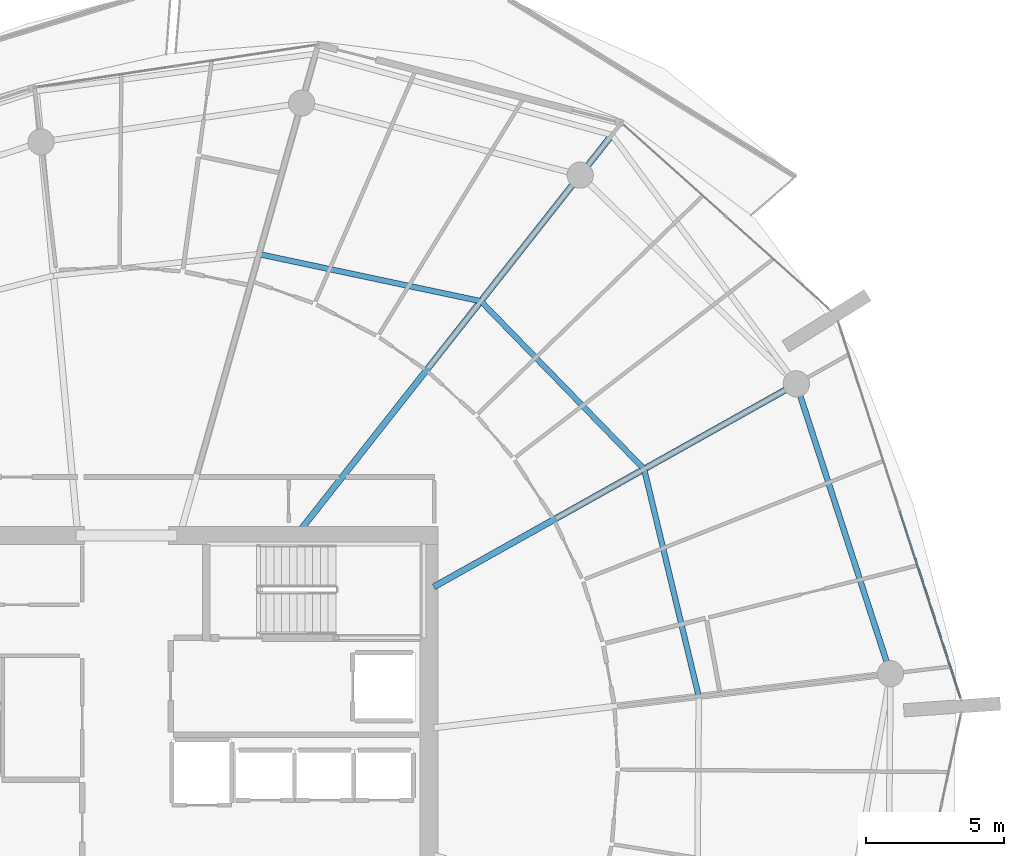
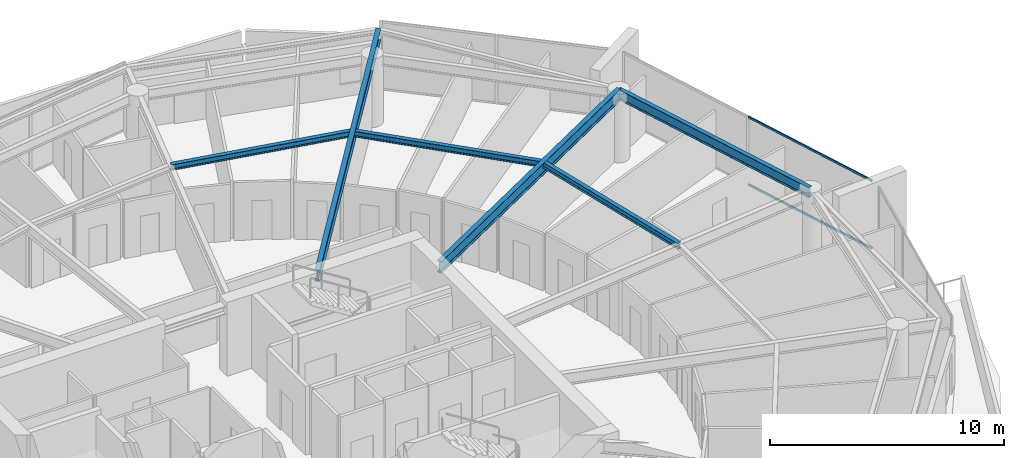
# One storey, part 13 of 30: 6 beams, 2 members, 1 element without a shape of its own.
"""IFC4 building model written with IfcOpenShell, lengths in metres."""

from ifc_helpers import new_model, si_unit, direction, frame, origin, origin_2d, place, context, subcontext, project, spatial, rectangle, i_section, extrude, material, layer, layer_set, material_profile, profile_set, type_object, element, aggregate, save


model = new_model("IFC4")

# Units and contexts
model_context = context("Model", 3, precision=1e-05, world=origin(), true_north=direction((0.0, 1.0)))
body_context = subcontext(model_context, "Body", "Model", "MODEL_VIEW")
ifc_project = project(units=[si_unit("LENGTHUNIT", "METRE"), si_unit("AREAUNIT", "SQUARE_METRE"), si_unit("VOLUMEUNIT", "CUBIC_METRE"), si_unit("PLANEANGLEUNIT", "RADIAN"), si_unit("MASSUNIT", "GRAM", prefix="KILO")], contexts=[model_context])

# Site, building, storey
site_placement = place(None, origin())
site = spatial("IfcSite", under=ifc_project, at=site_placement, CompositionType="ELEMENT")
building_placement = place(site_placement, origin())
building = spatial("IfcBuilding", under=site, at=building_placement, Name="Kazma Halo Residences", CompositionType="ELEMENT")
storey_placement = place(building_placement, frame((0.0, 0.0, 255.949951171875)))
storey = spatial("IfcBuildingStorey", under=building, at=storey_placement, Name="L64", CompositionType="ELEMENT", Elevation=255.949951171875)

# Beams
ifc_material_1 = material(Name="Steel S355", Category="steel")
ifc_material_profile_1 = material_profile(ifc_material_1, i_section(OverallWidth=0.22802734375, OverallDepth=0.60791015625, WebThickness=0.01123046875, FlangeThickness=0.017333984375, FilletRadius=0.01806640625, at=origin_2d()), Name="W610x113")
ifc_profile_set_1 = profile_set([ifc_material_profile_1], Name="Steel S355")
beam_type_1 = type_object("IfcBeamType", Name="BM-RAD-W610", PredefinedType="BEAM", material=ifc_profile_set_1)
beam_1_placement = place(storey_placement, frame((59.550048828125, 48.46826171875, 3.2861328125), z_axis=(0.872498817764, 0.488616222613, 0.0), x_axis=(-0.488616222613, 0.872498817764, 0.0)))
element("IfcBeam", 1, at=beam_1_placement, inside=storey, type_object=beam_type_1, Name="L64 radial floor beam 01", PredefinedType="BEAM", context=body_context, shape_type="SweptSolid", body=[
    extrude(i_section(OverallWidth=0.22802734375, OverallDepth=0.60791015625, WebThickness=0.01123046875, FlangeThickness=0.017333984375, FilletRadius=0.01806640625, at=origin_2d()), origin(), (0.0, 0.0, 1.0), 15.03759765625),
])
beam_2_placement = place(storey_placement, frame((54.700927734375, 50.5, 3.2861328125), z_axis=(0.6190864347, 0.785322854863, 0.0), x_axis=(-0.785322854863, 0.6190864347, 0.0)))
element("IfcBeam", 2, at=beam_2_placement, inside=storey, type_object=beam_type_1, Name="L64 radial floor beam 02", PredefinedType="BEAM", context=body_context, shape_type="SweptSolid", body=[
    extrude(i_section(OverallWidth=0.22802734375, OverallDepth=0.60791015625, WebThickness=0.01123046875, FlangeThickness=0.017333984375, FilletRadius=0.01806640625, at=origin_2d()), origin(), (0.0, 0.0, 1.0), 18.239013671875),
])
ifc_material_profile_2 = material_profile(ifc_material_1, i_section(OverallWidth=0.202880859375, OverallDepth=0.302978515625, WebThickness=0.007568359375, FlangeThickness=0.01318359375, FilletRadius=0.013916015625, at=origin_2d()), Name="W310x60")
ifc_profile_set_2 = profile_set([ifc_material_profile_2], Name="Steel S355")
beam_type_2 = type_object("IfcBeamType", Name="BM-SEC-W310A", PredefinedType="JOIST", material=ifc_profile_set_2)
beam_3_placement = place(storey_placement, frame((67.159912109375, 52.72998046875, 3.4384765625), z_axis=(-0.697145013687, 0.716930142964, 0.0), x_axis=(-0.716930142964, -0.697145013687, 0.0)))
element("IfcBeam", 3, at=beam_3_placement, inside=storey, type_object=beam_type_2, Name="L64 circumferential floor joist 01", PredefinedType="JOIST", context=body_context, shape_type="SweptSolid", body=[
    extrude(i_section(OverallWidth=0.202880859375, OverallDepth=0.302978515625, WebThickness=0.007568359375, FlangeThickness=0.01318359375, FilletRadius=0.013916015625, at=origin_2d()), origin(), (0.0, 0.0, 1.0), 8.477294921875),
])
beam_4_placement = place(storey_placement, frame((61.25, 58.8076171875, 3.4384765625), z_axis=(-0.978235588777, 0.207497308055, 0.0), x_axis=(-0.207497308055, -0.978235588777, 0.0)))
element("IfcBeam", 4, at=beam_4_placement, inside=storey, type_object=beam_type_2, Name="L64 circumferential floor joist 02", PredefinedType="JOIST", context=body_context, shape_type="SweptSolid", body=[
    extrude(i_section(OverallWidth=0.202880859375, OverallDepth=0.302978515625, WebThickness=0.007568359375, FlangeThickness=0.01318359375, FilletRadius=0.013916015625, at=origin_2d()), origin(), (0.0, 0.0, 1.0), 8.2080078125),
])
beam_5_placement = place(storey_placement, frame((69.13720703125, 44.501708984375, 3.4384765625), z_axis=(-0.23365336492, 0.97231996023, 0.0), x_axis=(-0.97231996023, -0.23365336492, 0.0)))
element("IfcBeam", 5, at=beam_5_placement, inside=storey, type_object=beam_type_2, Name="L64 circumferential floor joist 16", PredefinedType="JOIST", context=body_context, shape_type="SweptSolid", body=[
    extrude(i_section(OverallWidth=0.202880859375, OverallDepth=0.302978515625, WebThickness=0.007568359375, FlangeThickness=0.01318359375, FilletRadius=0.013916015625, at=origin_2d()), origin(), (0.0, 0.0, 1.0), 8.46240234375),
])
ifc_material_profile_3 = material_profile(ifc_material_1, i_section(OverallWidth=0.208984375, OverallDepth=0.532958984375, WebThickness=0.01025390625, FlangeThickness=0.015625, FilletRadius=0.01611328125, at=origin_2d()), Name="W530x92")
ifc_profile_set_3 = profile_set([ifc_material_profile_3], Name="Steel S355")
beam_type_3 = type_object("IfcBeamType", Name="BM-SPN-W530", PredefinedType="BEAM", material=ifc_profile_set_3)
beam_6_placement = place(storey_placement, frame((76.07958984375, 45.323486328125, 3.323486328125), z_axis=(-0.309015517474, 0.951056996168, 0.0), x_axis=(-0.951056996168, -0.309015517474, 0.0)))
element("IfcBeam", 6, at=beam_6_placement, inside=storey, type_object=beam_type_3, Name="L64 perimeter ring beam 16", PredefinedType="BEAM", context=body_context, shape_type="SweptSolid", body=[
    extrude(i_section(OverallWidth=0.208984375, OverallDepth=0.532958984375, WebThickness=0.01025390625, FlangeThickness=0.015625, FilletRadius=0.01611328125, at=origin_2d()), origin(), (0.0, 0.0, 1.0), 11.032470703125),
])

# Curtain wall, members
ifc_material_2 = material(Name="Aluminium AW-6063 T6 and Triple-Silver Low-E Glass", Category="aluminium")
ifc_layer = layer(ifc_material_2, 0.139892578125)
ifc_layer_set = layer_set([ifc_layer], Name="Aluminium AW-6063 T6 and Triple-Silver Low-E Glass")
curtain_wall_type = type_object("IfcCurtainWallType", Name="CW-SYS-5", PredefinedType="NOTDEFINED", material=ifc_layer_set)
curtain_wall_placement = place(storey_placement, origin())
curtain_wall = element("IfcCurtainWall", 7, at=curtain_wall_placement, inside=storey, type_object=curtain_wall_type, Name="L64 unitised curtain wall B16", PredefinedType="NOTDEFINED")
ifc_material_3 = material(Name="Aluminium AW-6063 T6", Category="aluminium")
ifc_material_profile_4 = material_profile(ifc_material_3, rectangle(XDim=0.06005859375, YDim=0.10498046875, at=origin_2d()), Name="CWT-60x105")
ifc_profile_set_4 = profile_set([ifc_material_profile_4], Name="Aluminium AW-6063 T6")
member_type = type_object("IfcMemberType", Name="CW-SYS-5-TRN", PredefinedType="USERDEFINED", material=ifc_profile_set_4)
member_1_placement = place(storey_placement, frame((78.613525390625, 44.44091796875, 0.030029296875), z_axis=(-0.308995987448, 0.951063341603, 0.0), x_axis=(-0.951063341603, -0.308995987448, 0.0)))
member_1 = element("IfcMember", 8, at=member_1_placement, type_object=member_type, Name="CWS-5 transom 1.1", ObjectType="TRANSOM", PredefinedType="USERDEFINED", context=body_context, shape_type="SweptSolid", body=[
    extrude(rectangle(XDim=0.06005859375, YDim=0.10498046875, at=origin_2d()), origin(), (0.0, 0.0, 1.0), 7.108642578125),
])
member_2_placement = place(storey_placement, frame((78.613525390625, 44.44091796875, 3.56005859375), z_axis=(-0.308995987448, 0.951063341603, 0.0), x_axis=(-0.951063341603, -0.308995987448, 0.0)))
member_2 = element("IfcMember", 9, at=member_2_placement, type_object=member_type, Name="CWS-5 transom 1.2", ObjectType="TRANSOM", PredefinedType="USERDEFINED", context=body_context, shape_type="SweptSolid", body=[
    extrude(rectangle(XDim=0.06005859375, YDim=0.10498046875, at=origin_2d()), origin(), (0.0, 0.0, 1.0), 7.108642578125),
])
aggregate(curtain_wall, [member_1, member_2])

save(model, "model.ifc")
